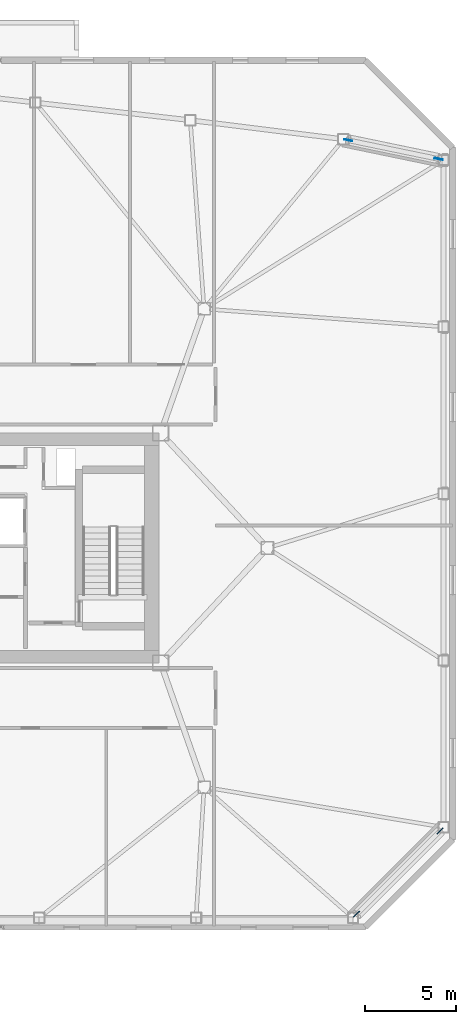
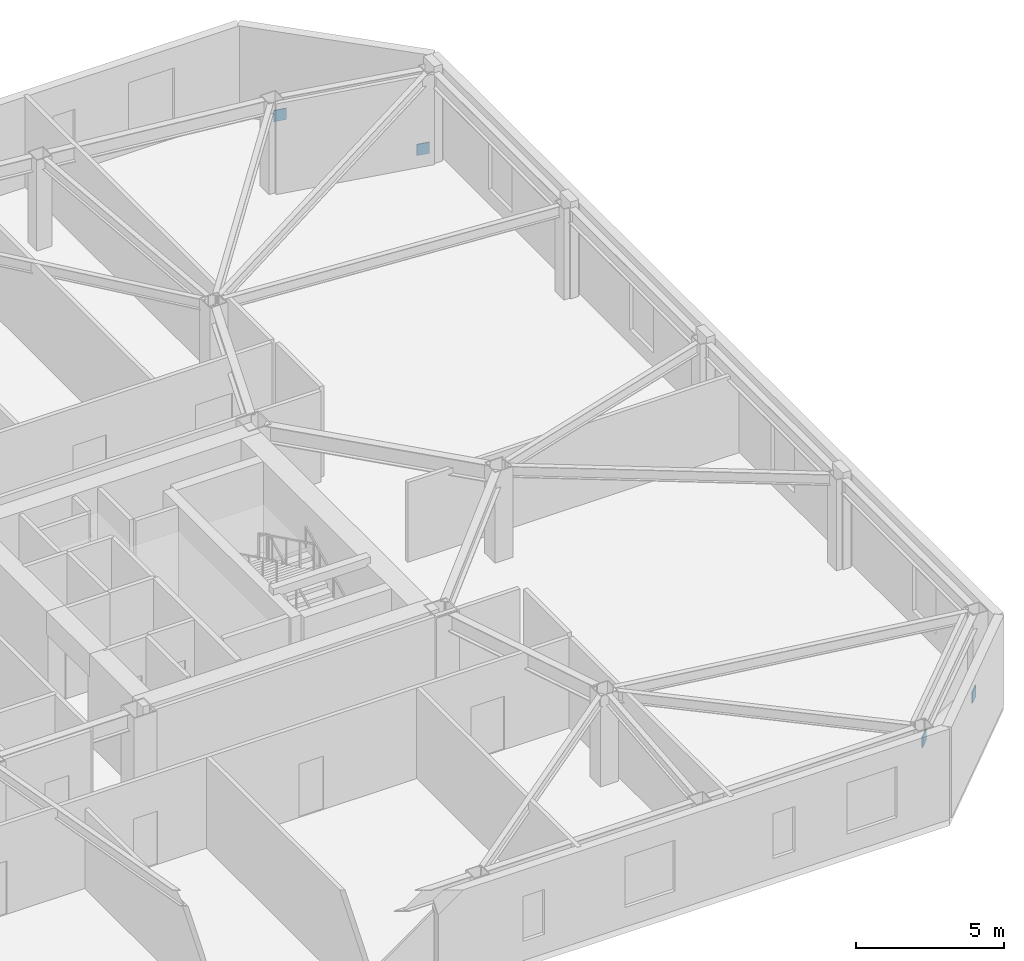
# One storey, part 17 of 19: 4 discrete accessories.
"""IFC4 building model written with IfcOpenShell, lengths in metres."""

from ifc_helpers import new_model, si_unit, direction, frame, origin, origin_2d, place, context, subcontext, project, spatial, rectangle, extrude, material, type_object, element, save


model = new_model("IFC4")

# Units and contexts
model_context = context("Model", 3, precision=1e-05, world=origin(), true_north=direction((0.0, 1.0)))
body_context = subcontext(model_context, "Body", "Model", "MODEL_VIEW")
ifc_project = project(units=[si_unit("LENGTHUNIT", "METRE"), si_unit("AREAUNIT", "SQUARE_METRE"), si_unit("VOLUMEUNIT", "CUBIC_METRE"), si_unit("PLANEANGLEUNIT", "RADIAN"), si_unit("MASSUNIT", "GRAM", prefix="KILO")], contexts=[model_context])

# Site, building, storey
site_placement = place(None, origin())
site = spatial("IfcSite", under=ifc_project, at=site_placement, CompositionType="ELEMENT")
building_placement = place(site_placement, origin())
building = spatial("IfcBuilding", under=site, at=building_placement, Name="Tavrogorsk Clinical Tower", CompositionType="ELEMENT")
storey_placement = place(building_placement, frame((0.0, 0.0, 188.199951171875)))
storey = spatial("IfcBuildingStorey", under=building, at=storey_placement, Name="L43", CompositionType="ELEMENT", Elevation=188.199951171875)

# Discrete accessories
ifc_material = material(Name="Structural steel S440", Category="steel")
discrete_accessory_type = type_object("IfcDiscreteAccessoryType", Name="GussetPlateBracket_25", PredefinedType="BRACKET", material=ifc_material)
for number, where, z_axis, x_axis, name in (
    (1, (37.517333984375, -15.62255859375, 0.18310546875), (0.0, 0.0, 1.0), (-0.707106781187, -0.707106781187, 0.0), "L43 Brace Gusset Plate EXOCRN-L43-1-A"),
    (2, (32.922607421875, -20.217529296875, 2.7470703125), (0.0, 0.0, 1.0), (-0.707106781187, -0.707106781187, 0.0), "L43 Brace Gusset Plate EXOCRN-L43-1-B"),
    (3, (37.44970703125, 21.47607421875, 0.20654296875), (0.0, 0.0, 1.0), (-0.979187402648, 0.202958198889, 0.0), "L43 Brace Gusset Plate EXOCRN-L43-2-A"),
    (4, (32.461669921875, 22.509765625, 2.7236328125), (0.0, 0.0, 1.0), (-0.979187402648, 0.202958198889, 0.0), "L43 Brace Gusset Plate EXOCRN-L43-2-B"),
):
    element("IfcDiscreteAccessory", number, at=place(storey_placement, frame(where, z_axis=z_axis, x_axis=x_axis)), inside=storey, type_object=discrete_accessory_type, Name=name, PredefinedType="BRACKET", context=body_context, shape_type="SweptSolid", body=[
        extrude(rectangle(XDim=0.4599609375, YDim=0.0400390625, at=origin_2d()), origin(), (0.0, 0.0, 1.0), 0.4599609375),
    ])

save(model, "model.ifc")
